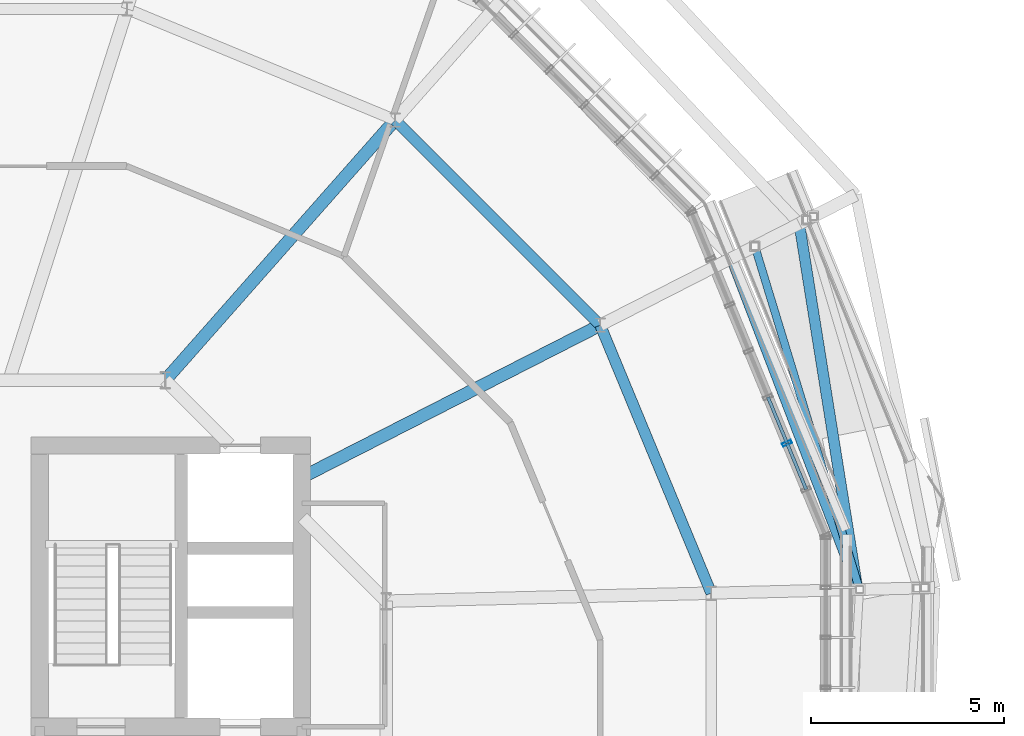
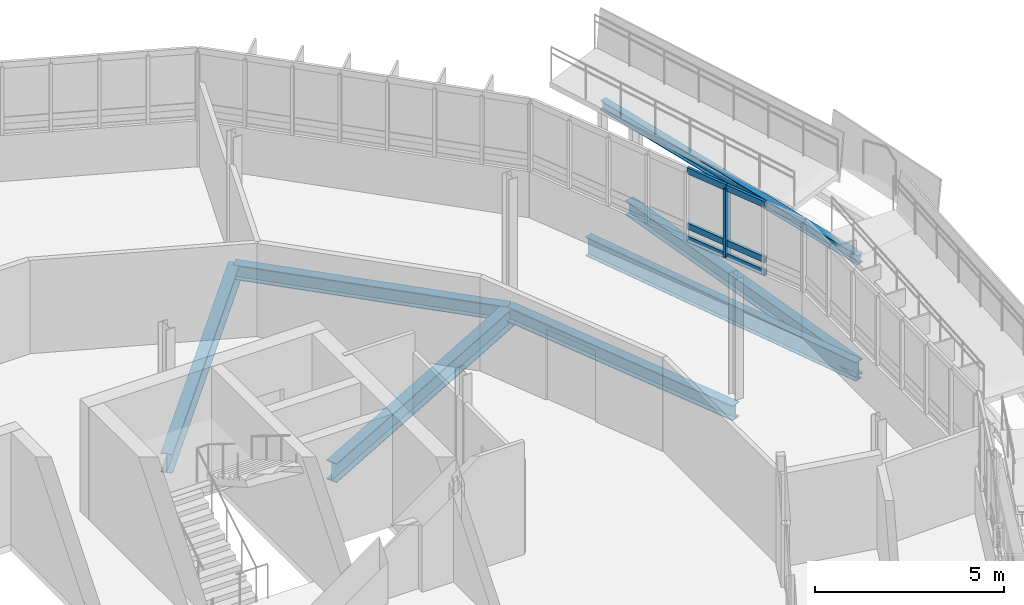
# One storey, part 20 of 38: 7 beams, 7 members, 1 element without a shape of its own.
"""IFC4 building model written with IfcOpenShell, lengths in metres."""

from ifc_helpers import new_model, si_unit, derived_unit, direction, frame, origin, origin_2d, place, context, subcontext, project, spatial, hollow_rectangle, i_section, extrude, material, layer, layer_set, material_profile, profile_set, type_object, element, aggregate, save


model = new_model("IFC4")

# Units and contexts
model_context = context("Model", 3, precision=1e-05, world=origin(), true_north=direction((0.0, 1.0)))
body_context = subcontext(model_context, "Body", "Model", "MODEL_VIEW")
ifc_project = project(units=[si_unit("LENGTHUNIT", "METRE"), si_unit("AREAUNIT", "SQUARE_METRE"), si_unit("VOLUMEUNIT", "CUBIC_METRE"), si_unit("PLANEANGLEUNIT", "RADIAN"), si_unit("MASSUNIT", "GRAM", prefix="KILO"), derived_unit("THERMALTRANSMITTANCEUNIT", [(si_unit("MASSUNIT", "GRAM", prefix="KILO"), 1), (si_unit("TIMEUNIT", "SECOND"), -3), (si_unit("THERMODYNAMICTEMPERATUREUNIT", "KELVIN"), -1)])], contexts=[model_context])

# Site, building, storey
site_placement = place(None, origin())
site = spatial("IfcSite", under=ifc_project, at=site_placement, CompositionType="ELEMENT")
building_placement = place(site_placement, origin())
building = spatial("IfcBuilding", under=site, at=building_placement, Name="Makaiwela Harbour Ferry Terminal", CompositionType="ELEMENT")
storey_placement = place(building_placement, frame((0.0, 0.0, 17.699951171875)))
storey = spatial("IfcBuildingStorey", under=building, at=storey_placement, Name="L04", CompositionType="ELEMENT", Elevation=17.699951171875)

# Curtain wall, members
ifc_material_1 = material(Name="Marine anodised aluminium 6063-T6", Category="aluminium")
ifc_layer = layer(ifc_material_1, 0.199951171875)
ifc_layer_set = layer_set([ifc_layer], Name="Marine anodised aluminium 6063-T6")
curtain_wall_type = type_object("IfcCurtainWallType", Name="ENV-CW-06", PredefinedType="USERDEFINED", material=ifc_layer_set)
curtain_wall_placement = place(storey_placement, origin())
curtain_wall = element("IfcCurtainWall", 1, at=curtain_wall_placement, inside=storey, type_object=curtain_wall_type, Name="Unitised Curtain Wall CWA-043", ObjectType="UNITIZED CURTAIN WALL", PredefinedType="USERDEFINED")
ifc_material_profile_1 = material_profile(ifc_material_1, hollow_rectangle(XDim=0.0849609375, YDim=0.25, WallThickness=0.0048828125, at=origin_2d()), Name="CWM-250X85")
ifc_profile_set_1 = profile_set([ifc_material_profile_1], Name="Marine anodised aluminium 6063-T6")
member_type_1 = type_object("IfcMemberType", Name="CW-MUL-250", PredefinedType="MULLION", material=ifc_profile_set_1)
member_1_placement = place(storey_placement, frame((57.997314453125, 75.757080078125, 1.47998046875), z_axis=(0.0, 0.0, 1.0), x_axis=(-0.382683432365, 0.923879532511, 0.0)))
member_1 = element("IfcMember", 2, at=member_1_placement, type_object=member_type_1, Name="Curtain Wall Mullion CWA-043-3", PredefinedType="MULLION", context=body_context, shape_type="SweptSolid", body=[
    extrude(hollow_rectangle(XDim=0.0849609375, YDim=0.25, WallThickness=0.0048828125, at=origin_2d()), origin(), (0.0, 0.0, 1.0), 2.199951171875),
])
ifc_material_profile_2 = material_profile(ifc_material_1, hollow_rectangle(XDim=0.0849609375, YDim=0.199951171875, WallThickness=0.0048828125, at=origin_2d()), Name="CWT-200X85")
ifc_profile_set_2 = profile_set([ifc_material_profile_2], Name="Marine anodised aluminium 6063-T6")
member_type_2 = type_object("IfcMemberType", Name="CW-TRN-200", PredefinedType="USERDEFINED", material=ifc_profile_set_2)
member_2_placement = place(storey_placement, frame((58.492919921875, 74.559814453125, 1.47998046875), z_axis=(-0.382473826, 0.923966326456, 0.0), x_axis=(-0.923966326456, -0.382473826, 0.0)))
member_2 = element("IfcMember", 3, at=member_2_placement, type_object=member_type_2, Name="Curtain Wall Transom CWA-043-2-1", ObjectType="TRANSOM", PredefinedType="USERDEFINED", context=body_context, shape_type="SweptSolid", body=[
    extrude(hollow_rectangle(XDim=0.0849609375, YDim=0.199951171875, WallThickness=0.0048828125, at=origin_2d()), origin(), (0.0, 0.0, 1.0), 1.2958984375),
])
member_3_placement = place(storey_placement, frame((58.492919921875, 74.559814453125, 1.900146484375), z_axis=(-0.382473826, 0.923966326456, 0.0), x_axis=(-0.923966326456, -0.382473826, 0.0)))
member_3 = element("IfcMember", 4, at=member_3_placement, type_object=member_type_2, Name="Curtain Wall Transom CWA-043-2-2", ObjectType="TRANSOM", PredefinedType="USERDEFINED", context=body_context, shape_type="SweptSolid", body=[
    extrude(hollow_rectangle(XDim=0.0849609375, YDim=0.199951171875, WallThickness=0.0048828125, at=origin_2d()), origin(), (0.0, 0.0, 1.0), 1.2958984375),
])
member_4_placement = place(storey_placement, frame((58.492919921875, 74.559814453125, 3.679931640625), z_axis=(-0.382473826, 0.923966326456, 0.0), x_axis=(-0.923966326456, -0.382473826, 0.0)))
member_4 = element("IfcMember", 5, at=member_4_placement, type_object=member_type_2, Name="Curtain Wall Transom CWA-043-2-3", ObjectType="TRANSOM", PredefinedType="USERDEFINED", context=body_context, shape_type="SweptSolid", body=[
    extrude(hollow_rectangle(XDim=0.0849609375, YDim=0.199951171875, WallThickness=0.0048828125, at=origin_2d()), origin(), (0.0, 0.0, 1.0), 1.2958984375),
])
member_5_placement = place(storey_placement, frame((57.997314453125, 75.757080078125, 1.47998046875), z_axis=(-0.382862084562, 0.92380551211, 0.0), x_axis=(-0.92380551211, -0.382862084562, 0.0)))
member_5 = element("IfcMember", 6, at=member_5_placement, type_object=member_type_2, Name="Curtain Wall Transom CWA-043-3-1", ObjectType="TRANSOM", PredefinedType="USERDEFINED", context=body_context, shape_type="SweptSolid", body=[
    extrude(hollow_rectangle(XDim=0.0849609375, YDim=0.199951171875, WallThickness=0.0048828125, at=origin_2d()), origin(), (0.0, 0.0, 1.0), 1.295654296875),
])
member_6_placement = place(storey_placement, frame((57.997314453125, 75.757080078125, 1.900146484375), z_axis=(-0.382862084562, 0.92380551211, 0.0), x_axis=(-0.92380551211, -0.382862084562, 0.0)))
member_6 = element("IfcMember", 7, at=member_6_placement, type_object=member_type_2, Name="Curtain Wall Transom CWA-043-3-2", ObjectType="TRANSOM", PredefinedType="USERDEFINED", context=body_context, shape_type="SweptSolid", body=[
    extrude(hollow_rectangle(XDim=0.0849609375, YDim=0.199951171875, WallThickness=0.0048828125, at=origin_2d()), origin(), (0.0, 0.0, 1.0), 1.295654296875),
])
member_7_placement = place(storey_placement, frame((57.997314453125, 75.757080078125, 3.679931640625), z_axis=(-0.382862084562, 0.92380551211, 0.0), x_axis=(-0.92380551211, -0.382862084562, 0.0)))
member_7 = element("IfcMember", 8, at=member_7_placement, type_object=member_type_2, Name="Curtain Wall Transom CWA-043-3-3", ObjectType="TRANSOM", PredefinedType="USERDEFINED", context=body_context, shape_type="SweptSolid", body=[
    extrude(hollow_rectangle(XDim=0.0849609375, YDim=0.199951171875, WallThickness=0.0048828125, at=origin_2d()), origin(), (0.0, 0.0, 1.0), 1.295654296875),
])
aggregate(curtain_wall, [member_1, member_2, member_3, member_4, member_5, member_6, member_7])

# Beams
ifc_material_2 = material(Name="Steel ASTM A992 Grade 50", Category="steel")
ifc_material_profile_3 = material_profile(ifc_material_2, i_section(OverallWidth=0.280029296875, OverallDepth=0.462890625, WebThickness=0.0107421875, FlangeThickness=0.017333984375, at=origin_2d()), Name="W18X76")
ifc_profile_set_3 = profile_set([ifc_material_profile_3], Name="Steel ASTM A992 Grade 50")
beam_type_1 = type_object("IfcBeamType", Name="STR-BM-W18X76", PredefinedType="BEAM", material=ifc_profile_set_3)
beam_1_placement = place(storey_placement, frame((59.827880859375, 71.959228515625, -0.486572265625), z_axis=(-0.157406457436, 0.987533901776, 0.0), x_axis=(-0.987533901776, -0.157406457436, 0.0)))
element("IfcBeam", 9, at=beam_1_placement, inside=storey, type_object=beam_type_1, Name="Drum stage2 tie girder 454", PredefinedType="BEAM", context=body_context, shape_type="SweptSolid", body=[
    extrude(i_section(OverallWidth=0.280029296875, OverallDepth=0.462890625, WebThickness=0.0107421875, FlangeThickness=0.017333984375, at=origin_2d()), origin(), (0.0, 0.0, 1.0), 9.619384765625),
])
ifc_material_profile_4 = material_profile(ifc_material_2, i_section(OverallWidth=0.324951171875, OverallDepth=0.615966796875, WebThickness=0.013916015625, FlangeThickness=0.021484375, at=origin_2d()), Name="W24X117")
ifc_profile_set_4 = profile_set([ifc_material_profile_4], Name="Steel ASTM A992 Grade 50")
beam_type_2 = type_object("IfcBeamType", Name="STR-GRD-W24X117", PredefinedType="USERDEFINED", material=ifc_profile_set_4)
beam_2_placement = place(storey_placement, frame((45.43994140625, 74.8896484375, -0.56298828125), z_axis=(0.890740656369, 0.454511917436, 0.0), x_axis=(-0.454511917436, 0.890740656369, 0.0)))
element("IfcBeam", 10, at=beam_2_placement, inside=storey, type_object=beam_type_2, Name="Drum radial girder 400", ObjectType="GIRDER", PredefinedType="USERDEFINED", context=body_context, shape_type="SweptSolid", body=[
    extrude(i_section(OverallWidth=0.324951171875, OverallDepth=0.615966796875, WebThickness=0.013916015625, FlangeThickness=0.021484375, at=origin_2d()), origin(), (0.0, 0.0, 1.0), 8.65283203125),
])
beam_3_placement = place(storey_placement, frame((41.8564453125, 77.39306640625, -0.56298828125), z_axis=(0.662014887938, 0.749490685832, 0.0), x_axis=(-0.749490685832, 0.662014887938, 0.0)))
element("IfcBeam", 11, at=beam_3_placement, inside=storey, type_object=beam_type_2, Name="Drum radial girder 404", ObjectType="GIRDER", PredefinedType="USERDEFINED", context=body_context, shape_type="SweptSolid", body=[
    extrude(i_section(OverallWidth=0.324951171875, OverallDepth=0.615966796875, WebThickness=0.013916015625, FlangeThickness=0.021484375, at=origin_2d()), origin(), (0.0, 0.0, 1.0), 9.011962890625),
])
ifc_material_profile_5 = material_profile(ifc_material_2, i_section(OverallWidth=0.22900390625, OverallDepth=0.612060546875, WebThickness=0.011962890625, FlangeThickness=0.01953125, at=origin_2d()), Name="W24X84")
ifc_profile_set_5 = profile_set([ifc_material_profile_5], Name="Steel ASTM A992 Grade 50")
beam_type_3 = type_object("IfcBeamType", Name="STR-GRD-W24X84", PredefinedType="USERDEFINED", material=ifc_profile_set_5)
beam_4_placement = place(storey_placement, frame((59.827880859375, 71.959228515625, -0.56103515625), z_axis=(-0.358191255304, 0.933648233878, 0.0), x_axis=(-0.933648233878, -0.358191255304, 0.0)))
element("IfcBeam", 12, at=beam_4_placement, inside=storey, type_object=beam_type_3, Name="Drum overhang tie girder 453", ObjectType="GIRDER", PredefinedType="USERDEFINED", context=body_context, shape_type="SweptSolid", body=[
    extrude(i_section(OverallWidth=0.22900390625, OverallDepth=0.612060546875, WebThickness=0.011962890625, FlangeThickness=0.01953125, at=origin_2d()), origin(), (0.0, 0.0, 1.0), 9.200927734375),
])
ifc_material_profile_6 = material_profile(ifc_material_2, i_section(OverallWidth=0.205078125, OverallDepth=0.31005859375, WebThickness=0.009521484375, FlangeThickness=0.016357421875, at=origin_2d()), Name="W12X50")
ifc_profile_set_6 = profile_set([ifc_material_profile_6], Name="Steel ASTM A992 Grade 50")
beam_type_4 = type_object("IfcBeamType", Name="STR-LNT-W12X50", PredefinedType="LINTEL", material=ifc_profile_set_6)
beam_5_placement = place(storey_placement, frame((59.87890625, 71.96044921875, 3.012939453125), z_axis=(-0.291229365951, 0.954788621967, 0.059700450332), x_axis=(-0.956494685776, -0.29174974907, 0.0)))
element("IfcBeam", 13, at=beam_5_placement, inside=storey, type_object=beam_type_4, Name="Coiled Ramp Stringer L04-F7-IN", PredefinedType="LINTEL", context=body_context, shape_type="SweptSolid", body=[
    extrude(i_section(OverallWidth=0.205078125, OverallDepth=0.31005859375, WebThickness=0.009521484375, FlangeThickness=0.016357421875, at=origin_2d()), origin(), (0.0, 0.0, 1.0), 9.33203125),
])
ifc_material_profile_7 = material_profile(ifc_material_2, i_section(OverallWidth=0.283935546875, OverallDepth=0.47607421875, WebThickness=0.014892578125, FlangeThickness=0.02392578125, at=origin_2d()), Name="W18X106")
ifc_profile_set_7 = profile_set([ifc_material_profile_7], Name="Steel ASTM A992 Grade 50")
beam_type_5 = type_object("IfcBeamType", Name="STR-SPN-W18X106", PredefinedType="SPANDREL", material=ifc_profile_set_7)
for number, where, z_axis, x_axis, name in (
    (14, (56.029296875, 71.865234375, -0.492919921875), (-0.382687752376, 0.923877743092, 0.0), (-0.923877743092, -0.382687752376, 0.0), "Drum column ring girder 381"),
    (15, (53.1474609375, 78.822509765625, -0.492919921875), (-0.707106781187, 0.707106781187, 0.0), (-0.707106781187, -0.707106781187, 0.0), "Drum column ring girder 382"),
):
    element("IfcBeam", number, at=place(storey_placement, frame(where, z_axis=z_axis, x_axis=x_axis)), inside=storey, type_object=beam_type_5, Name=name, PredefinedType="SPANDREL", context=body_context, shape_type="SweptSolid", body=[
        extrude(i_section(OverallWidth=0.283935546875, OverallDepth=0.47607421875, WebThickness=0.014892578125, FlangeThickness=0.02392578125, at=origin_2d()), origin(), (0.0, 0.0, 1.0), 7.530517578125),
    ])

save(model, "model.ifc")
